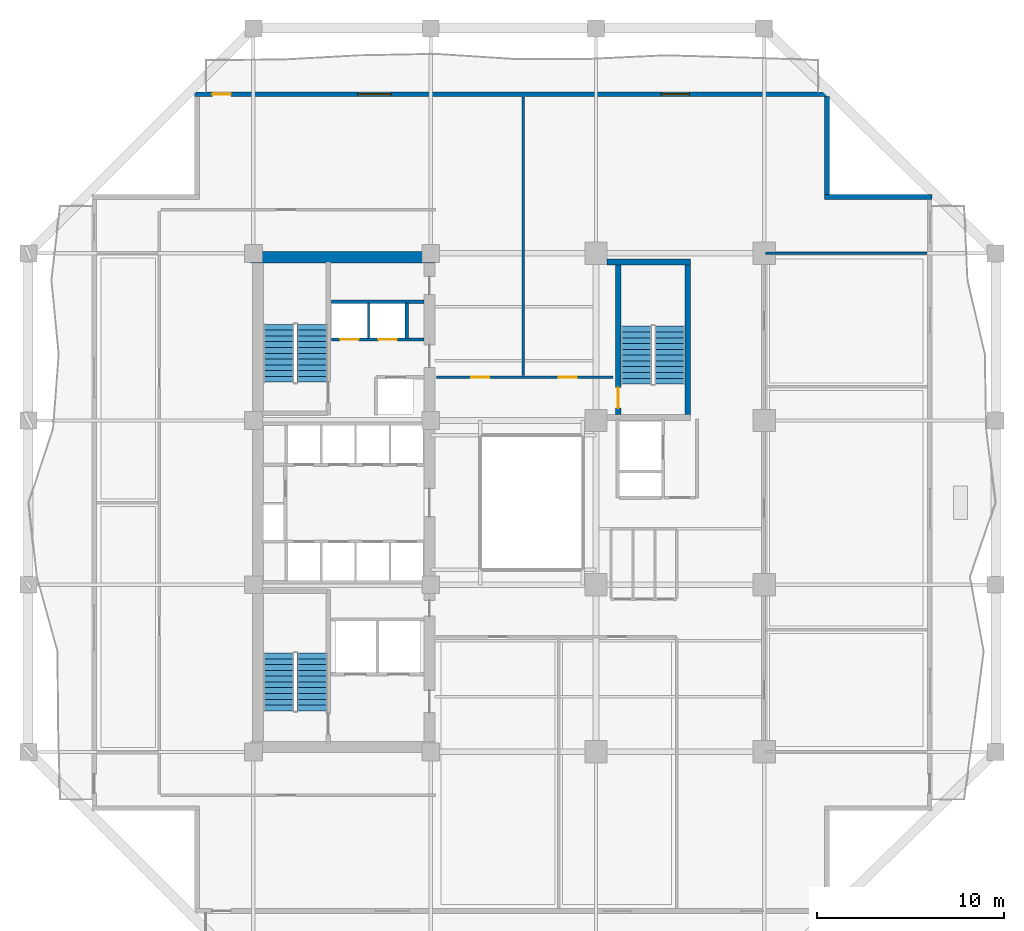
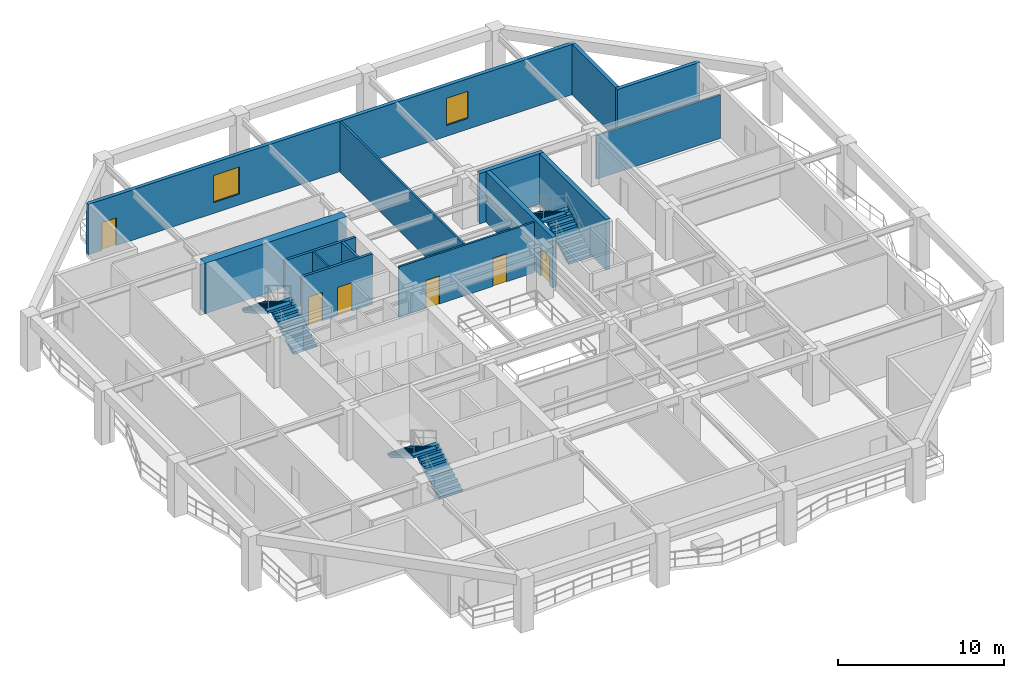
# One storey, part 5 of 12: 14 walls, 6 doors, 6 stair flights, 2 windows, 8 openings, 3 elements without a shape of their own.
"""IFC4 building model written with IfcOpenShell, lengths in metres."""

from ifc_helpers import new_model, si_unit, direction, frame, frame_2d, origin, place, context, subcontext, project, spatial, polyline, rectangle, outline, extrude, material, layer, layer_set, type_object, element, fill, aggregate, save


model = new_model("IFC4")

# Units and contexts
model_context = context("Model", 3, precision=1e-05, world=origin(), true_north=direction((0.0, 1.0)))
body_context = subcontext(model_context, "Body", "Model", "MODEL_VIEW")
ifc_project = project(units=[si_unit("LENGTHUNIT", "METRE"), si_unit("AREAUNIT", "SQUARE_METRE"), si_unit("VOLUMEUNIT", "CUBIC_METRE"), si_unit("PLANEANGLEUNIT", "RADIAN"), si_unit("MASSUNIT", "GRAM", prefix="KILO")], contexts=[model_context])

# Site, building, storey
site_placement = place(None, origin())
site = spatial("IfcSite", under=ifc_project, at=site_placement, CompositionType="ELEMENT")
building_placement = place(site_placement, origin())
building = spatial("IfcBuilding", under=site, at=building_placement, Name="Kundavana Baori Tower", CompositionType="ELEMENT")
storey_placement = place(building_placement, frame((0.0, 0.0, 42.0)))
storey = spatial("IfcBuildingStorey", under=building, at=storey_placement, Name="L09", CompositionType="ELEMENT", Elevation=42.0)

# Walls
ifc_material_1 = material(Name="Concrete C60/75", Category="concrete")
ifc_layer_1 = layer(ifc_material_1, 0.60009765625, Name="WL-CORE-600")
ifc_layer_set_1 = layer_set([ifc_layer_1], Name="Concrete C60/75")
wall_type_1 = type_object("IfcWallType", Name="WL-CORE-600", PredefinedType="SHEAR", material=ifc_layer_set_1)
wall_1_placement = place(storey_placement, frame((15.300048828125, 41.739990234375, 0.0), z_axis=(0.0, 0.0, 1.0), x_axis=(1.0, 0.0, 0.0)))
element("IfcWall", 1, at=wall_1_placement, inside=storey, type_object=wall_type_1, Name="L09 Offset Core North Shear Wall", PredefinedType="SHEAR", context=body_context, shape_type="SweptSolid", body=[
    extrude(rectangle(XDim=9.8798828125, YDim=0.60009765625, at=frame_2d((4.93994140625, 0.0))), origin(), (0.0, 0.0, 1.0), 3.719970703125),
])
ifc_material_2 = material(Name="Kiln-Fired Terracotta Brick-Slip Masonry on Concrete C40/50", Category="masonry")
ifc_layer_2 = layer(ifc_material_2, 0.260009765625, Name="WL-EXT-BRK-260")
ifc_layer_set_2 = layer_set([ifc_layer_2], Name="Kiln-Fired Terracotta Brick-Slip Masonry on Concrete C40/50")
wall_type_2 = type_object("IfcWallType", Name="WL-EXT-BRK-260", PredefinedType="SOLIDWALL", material=ifc_layer_set_2)
wall_2_placement = place(storey_placement, frame((51.800048828125, 44.969970703125, 0.0), z_axis=(0.0, 0.0, 1.0), x_axis=(-1.0, 0.0, 0.0)))
element("IfcWall", 2, at=wall_2_placement, inside=storey, type_object=wall_type_2, Name="L09 Exterior Insulated Facade Wall 05", PredefinedType="SOLIDWALL", context=body_context, shape_type="SweptSolid", body=[
    extrude(rectangle(XDim=5.760009765625, YDim=0.260009765625, at=frame_2d((2.8798828125, 0.0))), origin(), (0.0, 0.0, 1.0), 3.719970703125),
])
wall_3_placement = place(storey_placement, frame((46.169921875, 45.10009765625, 0.0), z_axis=(0.0, 0.0, 1.0), x_axis=(0.0, 1.0, 0.0)))
element("IfcWall", 3, at=wall_3_placement, inside=storey, type_object=wall_type_2, Name="L09 Exterior Insulated Facade Wall 06", PredefinedType="SOLIDWALL", context=body_context, shape_type="SweptSolid", body=[
    extrude(rectangle(XDim=5.239990234375, YDim=0.260009765625, at=frame_2d((2.6201171875, 0.0))), origin(), (0.0, 0.0, 1.0), 3.719970703125),
])

# Wall, openings, door, windows
wall_4_placement = place(storey_placement, frame((46.300048828125, 50.469970703125, 0.0), z_axis=(0.0, 0.0, 1.0), x_axis=(-1.0, 0.0, 0.0)))
wall_4 = element("IfcWall", 4, at=wall_4_placement, inside=storey, type_object=wall_type_2, Name="L09 Exterior Insulated Facade Wall 07", PredefinedType="SOLIDWALL", context=body_context, shape_type="SweptSolid", body=[
    extrude(rectangle(XDim=34.0, YDim=0.260009765625, at=frame_2d((17.0, 0.0))), origin(), (0.0, 0.0, 1.0), 3.719970703125),
])
opening_1_placement = place(wall_4_placement, frame((32.050048828125, 0.0, 0.0)))
opening_1 = element("IfcOpeningElement", 5, at=opening_1_placement, cuts=wall_4, Name="Opening BD-1", PredefinedType="OPENING", context=body_context, shape_type="SweptSolid", body=[
    extrude(rectangle(XDim=1.0, YDim=2.050048828125, at=frame_2d((0.5, 1.02490234375))), frame((0.0, 0.14013671875, 0.0), z_axis=(0.0, -1.0, 0.0), x_axis=(1.0, 0.0, 0.0)), (0.0, 0.0, 1.0), 0.280029296875),
])
opening_2_placement = place(wall_4_placement, frame((23.469970703125, 0.0, 0.800048828125)))
opening_2 = element("IfcOpeningElement", 6, at=opening_2_placement, cuts=wall_4, Name="Opening W-01", PredefinedType="OPENING", context=body_context, shape_type="SweptSolid", body=[
    extrude(rectangle(XDim=1.800048828125, YDim=2.0, at=frame_2d((0.89990234375, 1.0))), frame((0.0, 0.14013671875, 0.0), z_axis=(0.0, -1.0, 0.0), x_axis=(1.0, 0.0, 0.0)), (0.0, 0.0, 1.0), 0.280029296875),
])
opening_3_placement = place(wall_4_placement, frame((7.5048828125, 0.0, 0.800048828125)))
opening_3 = element("IfcOpeningElement", 7, at=opening_3_placement, cuts=wall_4, Name="Opening W-02", PredefinedType="OPENING", context=body_context, shape_type="SweptSolid", body=[
    extrude(rectangle(XDim=1.5, YDim=2.0, at=frame_2d((0.75, 1.0))), frame((0.0, 0.14013671875, 0.0), z_axis=(0.0, -1.0, 0.0), x_axis=(1.0, 0.0, 0.0)), (0.0, 0.0, 1.0), 0.280029296875),
])
ifc_material_3 = material(Name="Architectural Patinated Bronze Metalwork")
door_type_1 = type_object("IfcDoorType", Name="DR-EXT-LOG-1000", OperationType="NOTDEFINED", PredefinedType="DOOR", material=ifc_material_3)
door_1_placement = place(opening_1_placement, frame((1.0, 0.0, 0.0), z_axis=(0.0, 0.0, 1.0), x_axis=(-1.0, 0.0, 0.0)))
door_1 = element("IfcDoor", 8, at=door_1_placement, inside=storey, type_object=door_type_1, Name="L09 Loggia Balcony Access Door N", OperationType="SINGLE_SWING_LEFT", OverallHeight=2.050048828125, OverallWidth=1.0, PredefinedType="DOOR", context=body_context, shape_type="SweptSolid", body=[
    extrude(rectangle(XDim=1.0, YDim=2.050048828125, at=frame_2d((0.5, 1.02490234375))), frame((0.0, 0.02490234375, 0.0), z_axis=(0.0, -1.0, 0.0), x_axis=(1.0, 0.0, 0.0)), (0.0, 0.0, 1.0), 0.050048828125),
])
fill(opening_1, door_1)
ifc_material_4 = material(Name="Double-Glazed Solar-Control Low-E Insulated Glass", Category="glass")
window_type_1 = type_object("IfcWindowType", Name="WIN-LOG-1500x2000", PartitioningType="SINGLE_PANEL", PredefinedType="WINDOW", material=ifc_material_4)
window_1_placement = place(opening_3_placement, origin())
window_1 = element("IfcWindow", 9, at=window_1_placement, inside=storey, type_object=window_type_1, Name="L09 Recessed Loggia Window N-2", OverallHeight=2.0, OverallWidth=1.5, PartitioningType="SINGLE_PANEL", PredefinedType="WINDOW", context=body_context, shape_type="SweptSolid", body=[
    extrude(rectangle(XDim=1.5, YDim=2.0, at=frame_2d((0.75, 1.0))), frame((0.0, 0.030029296875, 0.0), z_axis=(0.0, -1.0, 0.0), x_axis=(1.0, 0.0, 0.0)), (0.0, 0.0, 1.0), 0.06005859375),
])
fill(opening_3, window_1)
ifc_material_5 = material(Name="Double-Glazed Solar-Control Low-E Insulated Glass", Category="glass")
window_type_2 = type_object("IfcWindowType", Name="WIN-LOG-1800x2000", PartitioningType="SINGLE_PANEL", PredefinedType="WINDOW", material=ifc_material_5)
window_2_placement = place(opening_2_placement, origin())
window_2 = element("IfcWindow", 10, at=window_2_placement, inside=storey, type_object=window_type_2, Name="L09 Recessed Loggia Window N-1", OverallHeight=2.0, OverallWidth=1.800048828125, PartitioningType="SINGLE_PANEL", PredefinedType="WINDOW", context=body_context, shape_type="SweptSolid", body=[
    extrude(rectangle(XDim=1.800048828125, YDim=2.0, at=frame_2d((0.89990234375, 1.0))), frame((0.0, 0.030029296875, 0.0), z_axis=(0.0, -1.0, 0.0), x_axis=(1.0, 0.0, 0.0)), (0.0, 0.0, 1.0), 0.06005859375),
])
fill(opening_2, window_2)

# Wall
ifc_material_6 = material(Name="Acoustic Gypsum Plasterboard on Galvanised Steel Studs", Category="steel")
ifc_layer_3 = layer(ifc_material_6, 0.1201171875, Name="WL-PART-120")
ifc_layer_set_3 = layer_set([ifc_layer_3], Name="Acoustic Gypsum Plasterboard on Galvanised Steel Studs")
wall_type_3 = type_object("IfcWallType", Name="WL-PART-120", PredefinedType="PARTITIONING", material=ifc_layer_set_3)
wall_5_placement = place(storey_placement, frame((21.6201171875, 37.39990234375, 0.0), z_axis=(0.0, 0.0, 1.0), x_axis=(0.0, 1.0, 0.0)))
element("IfcWall", 11, at=wall_5_placement, inside=storey, type_object=wall_type_3, Name="WL-L09-HR-DIV1", PredefinedType="PARTITIONING", context=body_context, shape_type="SweptSolid", body=[
    extrude(rectangle(XDim=1.900146484375, YDim=0.1201171875, at=frame_2d((0.9501953125, 0.0))), origin(), (0.0, 0.0, 1.0), 3.719970703125),
])

# Wall, openings, doors
ifc_material_7 = material(Name="Acoustic Gypsum Plasterboard on Galvanised Steel Studs", Category="steel")
ifc_layer_4 = layer(ifc_material_7, 0.135009765625, Name="WL-PART-135")
ifc_layer_set_4 = layer_set([ifc_layer_4], Name="Acoustic Gypsum Plasterboard on Galvanised Steel Studs")
wall_type_4 = type_object("IfcWallType", Name="WL-PART-135", PredefinedType="PARTITIONING", material=ifc_layer_set_4)
wall_6_placement = place(storey_placement, frame((25.25, 35.320068359375, 0.0), z_axis=(0.0, 0.0, 1.0), x_axis=(1.0, 0.0, 0.0)))
wall_6 = element("IfcWall", 12, at=wall_6_placement, inside=storey, type_object=wall_type_4, Name="WL-L09-OFN", PredefinedType="PARTITIONING", context=body_context, shape_type="SweptSolid", body=[
    extrude(rectangle(XDim=9.469970703125, YDim=0.135009765625, at=frame_2d((4.73486328125, 0.0))), origin(), (0.0, 0.0, 1.0), 3.719970703125),
])
opening_4_placement = place(wall_6_placement, frame((1.875, 0.0, 0.0)))
opening_4 = element("IfcOpeningElement", 13, at=opening_4_placement, cuts=wall_6, Name="Opening ID-095", PredefinedType="OPENING", context=body_context, shape_type="SweptSolid", body=[
    extrude(rectangle(XDim=0.949951171875, YDim=2.080078125, at=frame_2d((0.47509765625, 1.0400390625))), frame((0.0, 0.07763671875, 0.0), z_axis=(0.0, -1.0, 0.0), x_axis=(1.0, 0.0, 0.0)), (0.0, 0.0, 1.0), 0.155029296875),
])
opening_5_placement = place(wall_6_placement, frame((6.56494140625, 0.0, 0.0)))
opening_5 = element("IfcOpeningElement", 14, at=opening_5_placement, cuts=wall_6, Name="Opening ID-095", PredefinedType="OPENING", context=body_context, shape_type="SweptSolid", body=[
    extrude(rectangle(XDim=0.949951171875, YDim=2.080078125, at=frame_2d((0.47509765625, 1.0400390625))), frame((0.0, 0.07763671875, 0.0), z_axis=(0.0, -1.0, 0.0), x_axis=(1.0, 0.0, 0.0)), (0.0, 0.0, 1.0), 0.155029296875),
])
ifc_material_8 = material(Name="Engineered Teak Solid-Core Timber Veneer", Category="wood")
door_type_2 = type_object("IfcDoorType", Name="DR-INT-950", OperationType="NOTDEFINED", PredefinedType="DOOR", material=ifc_material_8)
door_2_placement = place(opening_4_placement, origin())
door_2 = element("IfcDoor", 15, at=door_2_placement, inside=storey, type_object=door_type_2, Name="DR-L09-OFN1", OperationType="SINGLE_SWING_LEFT", OverallHeight=2.080078125, OverallWidth=0.949951171875, PredefinedType="DOOR", context=body_context, shape_type="SweptSolid", body=[
    extrude(rectangle(XDim=0.949951171875, YDim=2.080078125, at=frame_2d((0.47509765625, 1.0400390625))), frame((0.0, 0.02490234375, 0.0), z_axis=(0.0, -1.0, 0.0), x_axis=(1.0, 0.0, 0.0)), (0.0, 0.0, 1.0), 0.050048828125),
])
fill(opening_4, door_2)
door_3_placement = place(opening_5_placement, origin())
door_3 = element("IfcDoor", 16, at=door_3_placement, inside=storey, type_object=door_type_2, Name="DR-L09-OFN2", OperationType="SINGLE_SWING_LEFT", OverallHeight=2.080078125, OverallWidth=0.949951171875, PredefinedType="DOOR", context=body_context, shape_type="SweptSolid", body=[
    extrude(rectangle(XDim=0.949951171875, YDim=2.080078125, at=frame_2d((0.47509765625, 1.0400390625))), frame((0.0, 0.02490234375, 0.0), z_axis=(0.0, -1.0, 0.0), x_axis=(1.0, 0.0, 0.0)), (0.0, 0.0, 1.0), 0.050048828125),
])
fill(opening_5, door_3)

# Walls
wall_7_placement = place(storey_placement, frame((42.8798828125, 41.949951171875, 0.0), z_axis=(0.0, 0.0, 1.0), x_axis=(1.0, 0.0, 0.0)))
element("IfcWall", 17, at=wall_7_placement, inside=storey, type_object=wall_type_4, Name="WL-L09-OFEN", PredefinedType="PARTITIONING", context=body_context, shape_type="SweptSolid", body=[
    extrude(rectangle(XDim=8.64013671875, YDim=0.135009765625, at=frame_2d((4.320068359375, 0.0))), origin(), (0.0, 0.0, 1.0), 3.219970703125),
])
wall_8_placement = place(storey_placement, frame((29.89990234375, 35.39990234375, 0.0), z_axis=(0.0, 0.0, 1.0), x_axis=(0.0, 1.0, 0.0)))
element("IfcWall", 18, at=wall_8_placement, inside=storey, type_object=wall_type_4, Name="WL-L09-ND1", PredefinedType="PARTITIONING", context=body_context, shape_type="SweptSolid", body=[
    extrude(rectangle(XDim=14.920166015625, YDim=0.135009765625, at=frame_2d((7.4599609375, 0.0))), origin(), (0.0, 0.0, 1.0), 3.719970703125),
])

# Wall, openings, doors
ifc_material_9 = material(Name="Autoclaved Aerated Concrete Blockwork Masonry", Category="masonry")
ifc_layer_5 = layer(ifc_material_9, 0.179931640625, Name="WL-SHAFT-180")
ifc_layer_set_5 = layer_set([ifc_layer_5], Name="Autoclaved Aerated Concrete Blockwork Masonry")
wall_type_5 = type_object("IfcWallType", Name="WL-SHAFT-180", PredefinedType="SOLIDWALL", material=ifc_layer_set_5)
wall_9_placement = place(storey_placement, frame((19.639892578125, 37.340087890625, 0.0), z_axis=(0.0, 0.0, 1.0), x_axis=(1.0, 0.0, 0.0)))
wall_9 = element("IfcWall", 19, at=wall_9_placement, inside=storey, type_object=wall_type_5, Name="WL-L09-HRLOB-N", PredefinedType="SOLIDWALL", context=body_context, shape_type="SweptSolid", body=[
    extrude(rectangle(XDim=4.940185546875, YDim=0.179931640625, at=frame_2d((2.47021484375, 0.0))), origin(), (0.0, 0.0, 1.0), 3.719970703125),
])
opening_6_placement = place(wall_9_placement, frame((0.449951171875, 0.0, 0.0)))
opening_6 = element("IfcOpeningElement", 20, at=opening_6_placement, cuts=wall_9, Name="Opening LD-100", PredefinedType="OPENING", context=body_context, shape_type="SweptSolid", body=[
    extrude(rectangle(XDim=1.0, YDim=2.10009765625, at=frame_2d((0.5, 1.050048828125))), frame((0.0, 0.10009765625, 0.0), z_axis=(0.0, -1.0, 0.0), x_axis=(1.0, 0.0, 0.0)), (0.0, 0.0, 1.0), 0.199951171875),
])
opening_7_placement = place(wall_9_placement, frame((2.5, 0.0, 0.0)))
opening_7 = element("IfcOpeningElement", 21, at=opening_7_placement, cuts=wall_9, Name="Opening LD-100", PredefinedType="OPENING", context=body_context, shape_type="SweptSolid", body=[
    extrude(rectangle(XDim=1.0, YDim=2.10009765625, at=frame_2d((0.5, 1.050048828125))), frame((0.0, 0.10009765625, 0.0), z_axis=(0.0, -1.0, 0.0), x_axis=(1.0, 0.0, 0.0)), (0.0, 0.0, 1.0), 0.199951171875),
])
ifc_material_10 = material(Name="Galvanised Steel Fire-Rated Door Leaf", Category="steel")
door_type_3 = type_object("IfcDoorType", Name="DR-SLIDE-LD1000", OperationType="NOTDEFINED", PredefinedType="DOOR", material=ifc_material_10)
door_4_placement = place(opening_6_placement, frame((1.0, 0.0, 0.0), z_axis=(0.0, 0.0, 1.0), x_axis=(-1.0, 0.0, 0.0)))
door_4 = element("IfcDoor", 22, at=door_4_placement, inside=storey, type_object=door_type_3, Name="DR-L09-LD-LP09", OperationType="DOUBLE_DOOR_SLIDING", OverallHeight=2.10009765625, OverallWidth=1.0, PredefinedType="DOOR", context=body_context, shape_type="SweptSolid", body=[
    extrude(rectangle(XDim=1.0, YDim=2.10009765625, at=frame_2d((0.5, 1.050048828125))), frame((0.0, 0.02490234375, 0.0), z_axis=(0.0, -1.0, 0.0), x_axis=(1.0, 0.0, 0.0)), (0.0, 0.0, 1.0), 0.050048828125),
])
fill(opening_6, door_4)
door_5_placement = place(opening_7_placement, frame((1.0, 0.0, 0.0), z_axis=(0.0, 0.0, 1.0), x_axis=(-1.0, 0.0, 0.0)))
door_5 = element("IfcDoor", 23, at=door_5_placement, inside=storey, type_object=door_type_3, Name="DR-L09-LD-LP10", OperationType="DOUBLE_DOOR_SLIDING", OverallHeight=2.10009765625, OverallWidth=1.0, PredefinedType="DOOR", context=body_context, shape_type="SweptSolid", body=[
    extrude(rectangle(XDim=1.0, YDim=2.10009765625, at=frame_2d((0.5, 1.050048828125))), frame((0.0, 0.02490234375, 0.0), z_axis=(0.0, -1.0, 0.0), x_axis=(1.0, 0.0, 0.0)), (0.0, 0.0, 1.0), 0.050048828125),
])
fill(opening_7, door_5)

# Walls
wall_10_placement = place(storey_placement, frame((19.639892578125, 39.360107421875, 0.0), z_axis=(0.0, 0.0, 1.0), x_axis=(1.0, 0.0, 0.0)))
element("IfcWall", 24, at=wall_10_placement, inside=storey, type_object=wall_type_5, Name="WL-L09-HRLOB-TOP", PredefinedType="SOLIDWALL", context=body_context, shape_type="SweptSolid", body=[
    extrude(rectangle(XDim=4.940185546875, YDim=0.179931640625, at=frame_2d((2.47021484375, 0.0))), origin(), (0.0, 0.0, 1.0), 3.719970703125),
])
wall_11_placement = place(storey_placement, frame((23.659912109375, 37.39990234375, 0.0), z_axis=(0.0, 0.0, 1.0), x_axis=(0.0, 1.0, 0.0)))
element("IfcWall", 25, at=wall_11_placement, inside=storey, type_object=wall_type_5, Name="WL-L09-HR-DIV2", PredefinedType="SOLIDWALL", context=body_context, shape_type="SweptSolid", body=[
    extrude(rectangle(XDim=1.900146484375, YDim=0.179931640625, at=frame_2d((0.9501953125, 0.0))), origin(), (0.0, 0.0, 1.0), 3.719970703125),
])
ifc_material_11 = material(Name="Concrete C50/60", Category="concrete")
ifc_layer_6 = layer(ifc_material_11, 0.300048828125, Name="WL-ST3-300")
ifc_layer_set_6 = layer_set([ifc_layer_6], Name="Concrete C50/60")
wall_type_6 = type_object("IfcWallType", Name="WL-ST3-300", PredefinedType="SHEAR", material=ifc_layer_set_6)
wall_12_placement = place(storey_placement, frame((34.39990234375, 41.489990234375, 0.0), z_axis=(0.0, 0.0, 1.0), x_axis=(1.0, 0.0, 0.0)))
element("IfcWall", 26, at=wall_12_placement, inside=storey, type_object=wall_type_6, Name="L09 Stair ST3 North Shear Wall", PredefinedType="SHEAR", context=body_context, shape_type="SweptSolid", body=[
    extrude(rectangle(XDim=4.47021484375, YDim=0.300048828125, at=frame_2d((2.235107421875, 0.0))), origin(), (0.0, 0.0, 1.0), 3.719970703125),
])

# Wall, opening, door
wall_13_placement = place(storey_placement, frame((34.97998046875, 33.31005859375, 0.0), z_axis=(0.0, 0.0, 1.0), x_axis=(0.0, 1.0, 0.0)))
wall_13 = element("IfcWall", 27, at=wall_13_placement, inside=storey, type_object=wall_type_6, Name="L09 Stair ST3 West Shear Wall", PredefinedType="SHEAR", context=body_context, shape_type="SweptSolid", body=[
    extrude(rectangle(XDim=8.030029296875, YDim=0.300048828125, at=frame_2d((4.01513671875, 0.0))), origin(), (0.0, 0.0, 1.0), 3.719970703125),
])
opening_8_placement = place(wall_13_placement, frame((0.35009765625, 0.0, 0.0)))
opening_8 = element("IfcOpeningElement", 28, at=opening_8_placement, cuts=wall_13, Name="Opening FD-110", PredefinedType="OPENING", context=body_context, shape_type="SweptSolid", body=[
    extrude(rectangle(XDim=1.10009765625, YDim=2.10009765625, at=frame_2d((0.550048828125, 1.050048828125))), frame((0.0, 0.16015625, 0.0), z_axis=(0.0, -1.0, 0.0), x_axis=(1.0, 0.0, 0.0)), (0.0, 0.0, 1.0), 0.320068359375),
])
ifc_material_12 = material(Name="Galvanised Steel Fire-Rated Door Leaf", Category="steel")
door_type_4 = type_object("IfcDoorType", Name="DR-FD120-1100", OperationType="NOTDEFINED", PredefinedType="DOOR", material=ifc_material_12)
door_6_placement = place(opening_8_placement, origin())
door_6 = element("IfcDoor", 29, at=door_6_placement, inside=storey, type_object=door_type_4, Name="DR-L09-ST3-W", OperationType="SINGLE_SWING_LEFT", OverallHeight=2.10009765625, OverallWidth=1.10009765625, PredefinedType="DOOR", context=body_context, shape_type="SweptSolid", body=[
    extrude(rectangle(XDim=1.10009765625, YDim=2.10009765625, at=frame_2d((0.550048828125, 1.050048828125))), frame((0.0, 0.02490234375, 0.0), z_axis=(0.0, -1.0, 0.0), x_axis=(1.0, 0.0, 0.0)), (0.0, 0.0, 1.0), 0.050048828125),
])
fill(opening_8, door_6)

# Wall
wall_14_placement = place(storey_placement, frame((38.719970703125, 33.31005859375, 0.0), z_axis=(0.0, 0.0, 1.0), x_axis=(0.0, 1.0, 0.0)))
element("IfcWall", 30, at=wall_14_placement, inside=storey, type_object=wall_type_6, Name="L09 Stair ST3 East Shear Wall", PredefinedType="SHEAR", context=body_context, shape_type="SweptSolid", body=[
    extrude(rectangle(XDim=8.030029296875, YDim=0.300048828125, at=frame_2d((4.01513671875, 0.0))), origin(), (0.0, 0.0, 1.0), 3.719970703125),
])

# Stair, stair flights
ifc_material_13 = material(Name="Concrete C40/50", Category="concrete")
stair_type = type_object("IfcStairType", Name="STR-DOG-1650", PredefinedType="HALF_TURN_STAIR", material=ifc_material_13)
stair_1_placement = place(storey_placement, origin())
stair_1 = element("IfcStair", 31, at=stair_1_placement, inside=storey, type_object=stair_type, Name="L09 Protected Exit Stair ST1", PredefinedType="HALF_TURN_STAIR")
ifc_material_14 = material(Name="Concrete C40/50", Category="concrete")
stair_flight_type = type_object("IfcStairFlightType", Name="SFL-RC-1650", PredefinedType="STRAIGHT", material=ifc_material_14)
stair_flight_1_placement = place(storey_placement, frame((18.614990234375, 17.449951171875, 0.0), z_axis=(0.0, 0.0, 1.0), x_axis=(0.0, 1.0, 0.0)))
stair_flight_1 = element("IfcStairFlight", 32, at=stair_flight_1_placement, type_object=stair_flight_type, Name="ST1 flight 1", NumberOfRisers=11, NumberOfTreads=10, PredefinedType="STRAIGHT", RiserHeight=0.181818182, TreadLength=0.31, context=body_context, shape_type="SweptSolid", body=[
    extrude(outline(polyline([(0.0, 0.0), (0.0, 0.181884765625), (0.31005859375, 0.181884765625), (0.31005859375, 0.363525390625), (0.6201171875, 0.363525390625), (0.6201171875, 0.54541015625), (0.929931640625, 0.54541015625), (0.929931640625, 0.727294921875), (1.239990234375, 0.727294921875), (1.239990234375, 0.9091796875), (1.550048828125, 0.9091796875), (1.550048828125, 1.0908203125), (1.860107421875, 1.0908203125), (1.860107421875, 1.272705078125), (2.169921875, 1.272705078125), (2.169921875, 1.45458984375), (2.47998046875, 1.45458984375), (2.47998046875, 1.636474609375), (2.7900390625, 1.636474609375), (2.7900390625, 1.818115234375), (3.10009765625, 1.818115234375), (3.10009765625, 2.0), (3.10009765625, 1.644287109375), (0.29638671875, 0.0), (0.0, 0.0)])), frame((0.0, 0.824951171875, 0.0), z_axis=(0.0, -1.0, 0.0), x_axis=(1.0, 0.0, 0.0)), (0.0, 0.0, 1.0), 1.64990234375),
])
stair_flight_2_placement = place(storey_placement, frame((16.804931640625, 20.550048828125, 2.0), z_axis=(0.0, 0.0, 1.0), x_axis=(0.0, -1.0, 0.0)))
stair_flight_2 = element("IfcStairFlight", 33, at=stair_flight_2_placement, type_object=stair_flight_type, Name="ST1 flight 2", NumberOfRisers=11, NumberOfTreads=10, PredefinedType="STRAIGHT", RiserHeight=0.181818182, TreadLength=0.31, context=body_context, shape_type="SweptSolid", body=[
    extrude(outline(polyline([(0.0, 0.0), (0.0, 0.181884765625), (0.31005859375, 0.181884765625), (0.31005859375, 0.363525390625), (0.6201171875, 0.363525390625), (0.6201171875, 0.54541015625), (0.929931640625, 0.54541015625), (0.929931640625, 0.727294921875), (1.239990234375, 0.727294921875), (1.239990234375, 0.9091796875), (1.550048828125, 0.9091796875), (1.550048828125, 1.0908203125), (1.860107421875, 1.0908203125), (1.860107421875, 1.272705078125), (2.169921875, 1.272705078125), (2.169921875, 1.45458984375), (2.47998046875, 1.45458984375), (2.47998046875, 1.636474609375), (2.7900390625, 1.636474609375), (2.7900390625, 1.818115234375), (3.10009765625, 1.818115234375), (3.10009765625, 2.0), (3.10009765625, 1.644287109375), (0.29638671875, 0.0), (0.0, 0.0)])), frame((0.0, 0.824951171875, 0.0), z_axis=(0.0, -1.0, 0.0), x_axis=(1.0, 0.0, 0.0)), (0.0, 0.0, 1.0), 1.64990234375),
])
aggregate(stair_1, [stair_flight_1, stair_flight_2])

stair_2_placement = place(storey_placement, origin())
stair_2 = element("IfcStair", 34, at=stair_2_placement, inside=storey, type_object=stair_type, Name="L09 Protected Exit Stair ST2", PredefinedType="HALF_TURN_STAIR")
stair_flight_3_placement = place(storey_placement, frame((18.614990234375, 35.050048828125, 0.0), z_axis=(0.0, 0.0, 1.0), x_axis=(0.0, 1.0, 0.0)))
stair_flight_3 = element("IfcStairFlight", 35, at=stair_flight_3_placement, type_object=stair_flight_type, Name="ST2 flight 1", NumberOfRisers=11, NumberOfTreads=10, PredefinedType="STRAIGHT", RiserHeight=0.181818182, TreadLength=0.31, context=body_context, shape_type="SweptSolid", body=[
    extrude(outline(polyline([(0.0, 0.0), (0.0, 0.181884765625), (0.31005859375, 0.181884765625), (0.31005859375, 0.363525390625), (0.6201171875, 0.363525390625), (0.6201171875, 0.54541015625), (0.929931640625, 0.54541015625), (0.929931640625, 0.727294921875), (1.239990234375, 0.727294921875), (1.239990234375, 0.9091796875), (1.550048828125, 0.9091796875), (1.550048828125, 1.0908203125), (1.860107421875, 1.0908203125), (1.860107421875, 1.272705078125), (2.169921875, 1.272705078125), (2.169921875, 1.45458984375), (2.47998046875, 1.45458984375), (2.47998046875, 1.636474609375), (2.7900390625, 1.636474609375), (2.7900390625, 1.818115234375), (3.10009765625, 1.818115234375), (3.10009765625, 2.0), (3.10009765625, 1.644287109375), (0.29638671875, 0.0), (0.0, 0.0)])), frame((0.0, 0.824951171875, 0.0), z_axis=(0.0, -1.0, 0.0), x_axis=(1.0, 0.0, 0.0)), (0.0, 0.0, 1.0), 1.64990234375),
])
stair_flight_4_placement = place(storey_placement, frame((16.804931640625, 38.14990234375, 2.0), z_axis=(0.0, 0.0, 1.0), x_axis=(0.0, -1.0, 0.0)))
stair_flight_4 = element("IfcStairFlight", 36, at=stair_flight_4_placement, type_object=stair_flight_type, Name="ST2 flight 2", NumberOfRisers=11, NumberOfTreads=10, PredefinedType="STRAIGHT", RiserHeight=0.181818182, TreadLength=0.31, context=body_context, shape_type="SweptSolid", body=[
    extrude(outline(polyline([(0.0, 0.0), (0.0, 0.181884765625), (0.31005859375, 0.181884765625), (0.31005859375, 0.363525390625), (0.6201171875, 0.363525390625), (0.6201171875, 0.54541015625), (0.929931640625, 0.54541015625), (0.929931640625, 0.727294921875), (1.239990234375, 0.727294921875), (1.239990234375, 0.9091796875), (1.550048828125, 0.9091796875), (1.550048828125, 1.0908203125), (1.860107421875, 1.0908203125), (1.860107421875, 1.272705078125), (2.169921875, 1.272705078125), (2.169921875, 1.45458984375), (2.47998046875, 1.45458984375), (2.47998046875, 1.636474609375), (2.7900390625, 1.636474609375), (2.7900390625, 1.818115234375), (3.10009765625, 1.818115234375), (3.10009765625, 2.0), (3.10009765625, 1.644287109375), (0.29638671875, 0.0), (0.0, 0.0)])), frame((0.0, 0.824951171875, 0.0), z_axis=(0.0, -1.0, 0.0), x_axis=(1.0, 0.0, 0.0)), (0.0, 0.0, 1.0), 1.64990234375),
])
aggregate(stair_2, [stair_flight_3, stair_flight_4])

stair_3_placement = place(storey_placement, origin())
stair_3 = element("IfcStair", 37, at=stair_3_placement, inside=storey, type_object=stair_type, Name="L09 Protected Exit Stair ST3", PredefinedType="HALF_TURN_STAIR")
stair_flight_5_placement = place(storey_placement, frame((37.7548828125, 34.949951171875, 0.0), z_axis=(0.0, 0.0, 1.0), x_axis=(0.0, 1.0, 0.0)))
stair_flight_5 = element("IfcStairFlight", 38, at=stair_flight_5_placement, type_object=stair_flight_type, Name="ST3 flight 1", NumberOfRisers=11, NumberOfTreads=10, PredefinedType="STRAIGHT", RiserHeight=0.181818182, TreadLength=0.31, context=body_context, shape_type="SweptSolid", body=[
    extrude(outline(polyline([(0.0, 0.0), (0.0, 0.181884765625), (0.31005859375, 0.181884765625), (0.31005859375, 0.363525390625), (0.6201171875, 0.363525390625), (0.6201171875, 0.54541015625), (0.929931640625, 0.54541015625), (0.929931640625, 0.727294921875), (1.239990234375, 0.727294921875), (1.239990234375, 0.9091796875), (1.550048828125, 0.9091796875), (1.550048828125, 1.0908203125), (1.860107421875, 1.0908203125), (1.860107421875, 1.272705078125), (2.169921875, 1.272705078125), (2.169921875, 1.45458984375), (2.47998046875, 1.45458984375), (2.47998046875, 1.636474609375), (2.7900390625, 1.636474609375), (2.7900390625, 1.818115234375), (3.10009765625, 1.818115234375), (3.10009765625, 2.0), (3.10009765625, 1.644287109375), (0.29638671875, 0.0), (0.0, 0.0)])), frame((0.0, 0.824951171875, 0.0), z_axis=(0.0, -1.0, 0.0), x_axis=(1.0, 0.0, 0.0)), (0.0, 0.0, 1.0), 1.64990234375),
])
stair_flight_6_placement = place(storey_placement, frame((35.945068359375, 38.050048828125, 2.0), z_axis=(0.0, 0.0, 1.0), x_axis=(0.0, -1.0, 0.0)))
stair_flight_6 = element("IfcStairFlight", 39, at=stair_flight_6_placement, type_object=stair_flight_type, Name="ST3 flight 2", NumberOfRisers=11, NumberOfTreads=10, PredefinedType="STRAIGHT", RiserHeight=0.181818182, TreadLength=0.31, context=body_context, shape_type="SweptSolid", body=[
    extrude(outline(polyline([(0.0, 0.0), (0.0, 0.181884765625), (0.31005859375, 0.181884765625), (0.31005859375, 0.363525390625), (0.6201171875, 0.363525390625), (0.6201171875, 0.54541015625), (0.929931640625, 0.54541015625), (0.929931640625, 0.727294921875), (1.239990234375, 0.727294921875), (1.239990234375, 0.9091796875), (1.550048828125, 0.9091796875), (1.550048828125, 1.0908203125), (1.860107421875, 1.0908203125), (1.860107421875, 1.272705078125), (2.169921875, 1.272705078125), (2.169921875, 1.45458984375), (2.47998046875, 1.45458984375), (2.47998046875, 1.636474609375), (2.7900390625, 1.636474609375), (2.7900390625, 1.818115234375), (3.10009765625, 1.818115234375), (3.10009765625, 2.0), (3.10009765625, 1.644287109375), (0.29638671875, 0.0), (0.0, 0.0)])), frame((0.0, 0.824951171875, 0.0), z_axis=(0.0, -1.0, 0.0), x_axis=(1.0, 0.0, 0.0)), (0.0, 0.0, 1.0), 1.64990234375),
])
aggregate(stair_3, [stair_flight_5, stair_flight_6])

save(model, "model.ifc")
